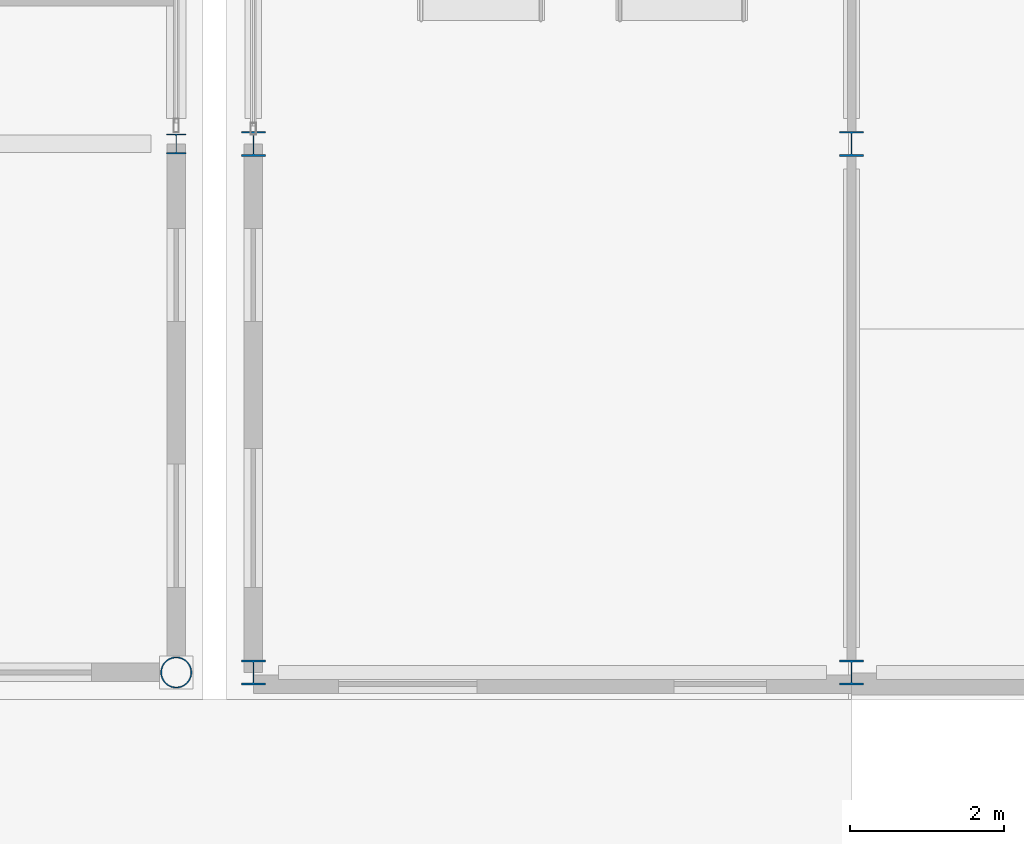
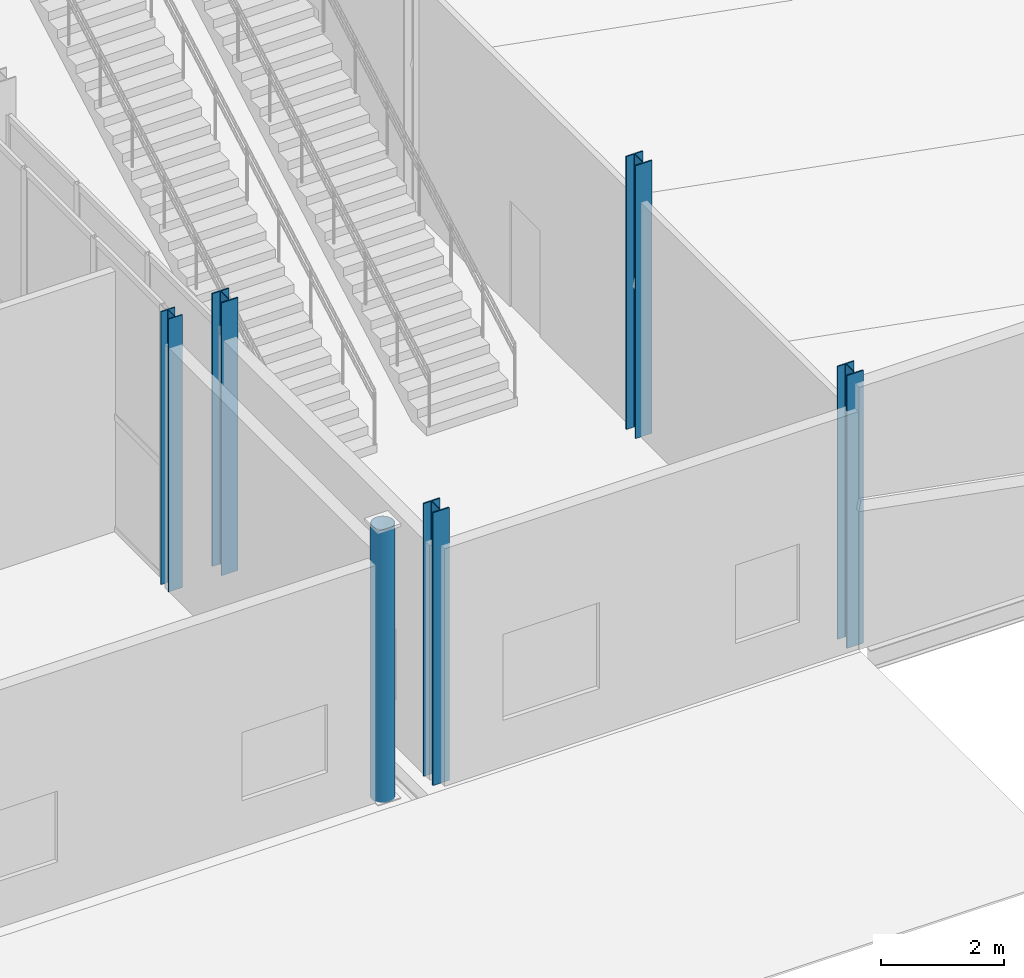
# One storey, part 8 of 83: 6 columns.
"""IFC4 building model written with IfcOpenShell, lengths in metres."""

from ifc_helpers import new_model, si_unit, direction, frame, origin, origin_2d, place, context, subcontext, project, spatial, hollow_circle, i_section, extrude, material, material_profile, profile_set, type_object, element, save


model = new_model("IFC4")

# Units and contexts
model_context = context("Model", 3, precision=1e-05, world=origin(), true_north=direction((0.0, 1.0)))
body_context = subcontext(model_context, "Body", "Model", "MODEL_VIEW")
ifc_project = project(units=[si_unit("LENGTHUNIT", "METRE"), si_unit("AREAUNIT", "SQUARE_METRE"), si_unit("VOLUMEUNIT", "CUBIC_METRE"), si_unit("PLANEANGLEUNIT", "RADIAN"), si_unit("MASSUNIT", "GRAM", prefix="KILO")], contexts=[model_context])

# Site, building, storey
site_placement = place(None, origin())
site = spatial("IfcSite", under=ifc_project, at=site_placement, CompositionType="ELEMENT")
building_placement = place(site_placement, origin())
building = spatial("IfcBuilding", under=site, at=building_placement, Name="Quillay Park Conservatory", CompositionType="ELEMENT")
storey_placement = place(building_placement, origin())
storey = spatial("IfcBuildingStorey", under=building, at=storey_placement, Name="L00", CompositionType="ELEMENT", Elevation=0.0)

# Columns
ifc_material_1 = material(Name="Steel S355J2H", Category="steel")
ifc_material_profile_1 = material_profile(ifc_material_1, hollow_circle(Radius=0.203125, WallThickness=0.01611328125, at=origin_2d()), Name="CHS406.4x16")
ifc_profile_set_1 = profile_set([ifc_material_profile_1], Name="Steel S355J2H")
column_type_1 = type_object("IfcColumnType", Name="COMPOSITE STEEL COLUMN CHS406", PredefinedType="COLUMN", material=ifc_profile_set_1)
column_1_placement = place(storey_placement, frame((114.85009765625, 85.550048828125, 0.0), z_axis=(0.0, 0.0, 1.0), x_axis=(1.0, 0.0, 0.0)))
element("IfcColumn", 1, at=column_1_placement, inside=storey, type_object=column_type_1, Name="L00 column COL-V1-L00-9-0", PredefinedType="COLUMN", context=body_context, shape_type="SweptSolid", body=[
    extrude(hollow_circle(Radius=0.203125, WallThickness=0.01611328125, at=origin_2d()), origin(), (0.0, 0.0, 1.0), 5.39990234375),
])
ifc_material_2 = material(Name="Steel ASTM A992 Grade 50", Category="steel")
ifc_material_profile_2 = material_profile(ifc_material_2, i_section(OverallWidth=0.256103515625, OverallDepth=0.260009765625, WebThickness=0.0107421875, FlangeThickness=0.017333984375, FilletRadius=0.012939453125, at=origin_2d()), Name="W250x89")
ifc_profile_set_2 = profile_set([ifc_material_profile_2], Name="Steel ASTM A992 Grade 50")
column_type_2 = type_object("IfcColumnType", Name="COMPOSITE STEEL COLUMN W250 X89", PredefinedType="COLUMN", material=ifc_profile_set_2)
column_2_placement = place(storey_placement, frame((114.85009765625, 92.39990234375, 0.0), z_axis=(0.0, 0.0, 1.0), x_axis=(1.0, 0.0, 0.0)))
element("IfcColumn", 2, at=column_2_placement, inside=storey, type_object=column_type_2, Name="L00 column COL-V1-WK-9", PredefinedType="COLUMN", context=body_context, shape_type="SweptSolid", body=[
    extrude(i_section(OverallWidth=0.256103515625, OverallDepth=0.260009765625, WebThickness=0.0107421875, FlangeThickness=0.017333984375, FilletRadius=0.012939453125, at=origin_2d()), origin(), (0.0, 0.0, 1.0), 5.39990234375),
])
ifc_material_3 = material(Name="Steel ASTM A992 Grade 50", Category="steel")
ifc_material_profile_3 = material_profile(ifc_material_3, i_section(OverallWidth=0.30908203125, OverallDepth=0.322998046875, WebThickness=0.013916015625, FlangeThickness=0.02294921875, FilletRadius=0.014892578125, at=origin_2d()), Name="W310x143")
ifc_profile_set_3 = profile_set([ifc_material_profile_3], Name="Steel ASTM A992 Grade 50")
column_type_3 = type_object("IfcColumnType", Name="COMPOSITE STEEL COLUMN W310 X143", PredefinedType="COLUMN", material=ifc_profile_set_3)
for number, where, z_axis, x_axis, name in (
    (3, (115.85009765625, 85.550048828125, 0.0), (0.0, 0.0, 1.0), (1.0, 0.0, 0.0), "L00 column COL-V2-L00-0-0"),
    (4, (115.85009765625, 92.39990234375, 0.0), (0.0, 0.0, 1.0), (1.0, 0.0, 0.0), "L00 column COL-V2-L00-0-1"),
    (5, (123.60009765625, 85.550048828125, 0.0), (0.0, 0.0, 1.0), (1.0, 0.0, 0.0), "L00 column COL-V2-L00-1-0"),
    (6, (123.60009765625, 92.39990234375, 0.0), (0.0, 0.0, 1.0), (1.0, 0.0, 0.0), "L00 column COL-V2-L00-1-1"),
):
    element("IfcColumn", number, at=place(storey_placement, frame(where, z_axis=z_axis, x_axis=x_axis)), inside=storey, type_object=column_type_3, Name=name, PredefinedType="COLUMN", context=body_context, shape_type="SweptSolid", body=[
        extrude(i_section(OverallWidth=0.30908203125, OverallDepth=0.322998046875, WebThickness=0.013916015625, FlangeThickness=0.02294921875, FilletRadius=0.014892578125, at=origin_2d()), origin(), (0.0, 0.0, 1.0), 5.39990234375),
    ])

save(model, "model.ifc")
